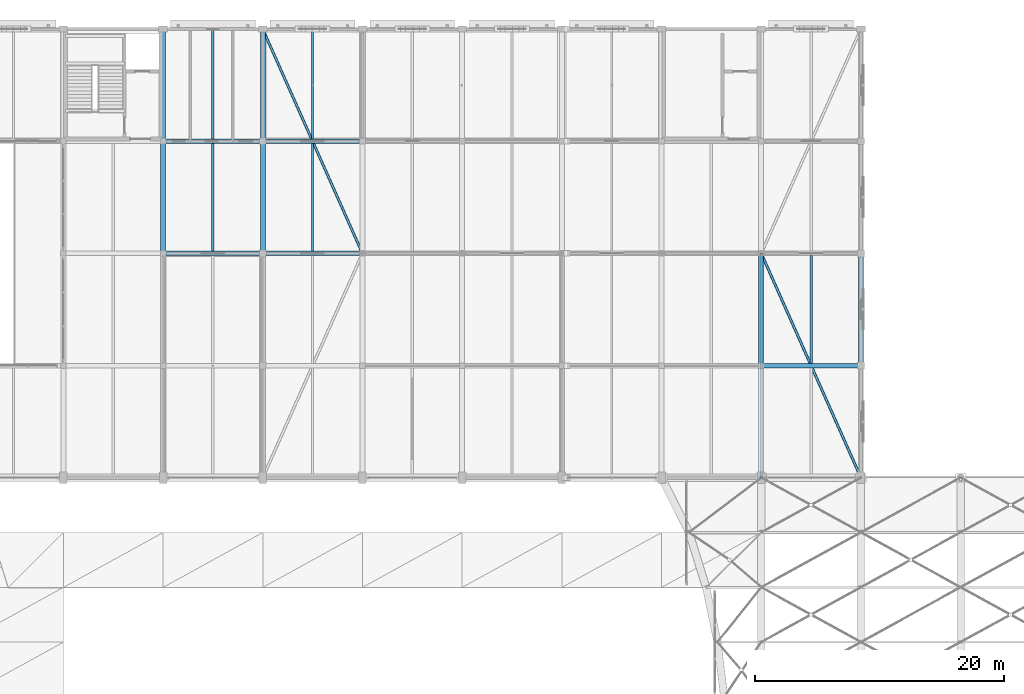
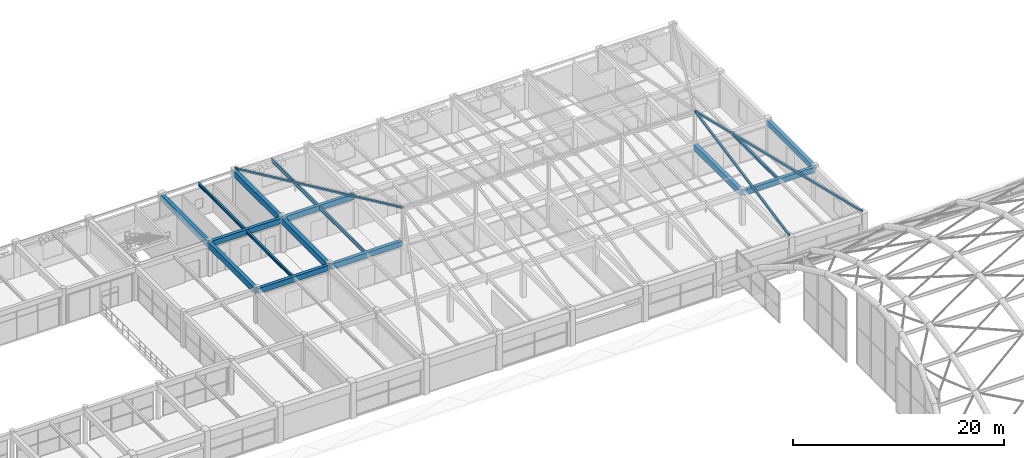
# One storey, part 71 of 126: 16 beams, 3 members.
"""IFC4 building model written with IfcOpenShell, lengths in metres."""

from ifc_helpers import new_model, si_unit, direction, frame, origin, origin_2d, place, context, subcontext, project, spatial, rectangle, hollow_rectangle, i_section, extrude, material, material_profile, profile_set, type_object, element, save


model = new_model("IFC4")

# Units and contexts
model_context = context("Model", 3, precision=1e-05, world=origin(), true_north=direction((0.0, 1.0)))
body_context = subcontext(model_context, "Body", "Model", "MODEL_VIEW")
ifc_project = project(units=[si_unit("LENGTHUNIT", "METRE"), si_unit("AREAUNIT", "SQUARE_METRE"), si_unit("VOLUMEUNIT", "CUBIC_METRE"), si_unit("PLANEANGLEUNIT", "RADIAN"), si_unit("MASSUNIT", "GRAM", prefix="KILO")], contexts=[model_context])

# Site, building, storey
site_placement = place(None, origin())
site = spatial("IfcSite", under=ifc_project, at=site_placement, CompositionType="ELEMENT")
building_placement = place(site_placement, origin())
building = spatial("IfcBuilding", under=site, at=building_placement, Name="Varnabhumi Central Station", CompositionType="ELEMENT")
storey_placement = place(building_placement, frame((0.0, 0.0, 16.199951171875)))
storey = spatial("IfcBuildingStorey", under=building, at=storey_placement, Name="L03", CompositionType="ELEMENT", Elevation=16.199951171875)

# Beams
ifc_material_1 = material(Name="Structural steel E350", Category="steel")
ifc_material_profile_1 = material_profile(ifc_material_1, i_section(OverallWidth=0.14990234375, OverallDepth=0.449951171875, WebThickness=0.009521484375, FlangeThickness=0.017333984375, FilletRadius=0.014892578125, at=origin_2d()), Name="Structural steel E350", Category="steel")
ifc_profile_set_1 = profile_set([ifc_material_profile_1], Name="Structural steel E350")
beam_type_1 = type_object("IfcBeamType", Name="BM-JST-ISMB450", PredefinedType="JOIST", material=ifc_profile_set_1)
beam_1_placement = place(storey_placement, frame((100.0, 98.175048828125, 3.72509765625), z_axis=(0.0, 1.0, 0.0), x_axis=(-1.0, 0.0, 0.0)))
element("IfcBeam", 1, at=beam_1_placement, inside=storey, type_object=beam_type_1, Name="Secondary Joist L03-13/14:M-N", PredefinedType="JOIST", context=body_context, shape_type="SweptSolid", body=[
    extrude(i_section(OverallWidth=0.14990234375, OverallDepth=0.449951171875, WebThickness=0.009521484375, FlangeThickness=0.017333984375, FilletRadius=0.014892578125, at=origin_2d()), origin(), (0.0, 0.0, 1.0), 8.64990234375),
])
beam_2_placement = place(storey_placement, frame((100.0, 107.175048828125, 3.72509765625), z_axis=(0.0, 1.0, 0.0), x_axis=(-1.0, 0.0, 0.0)))
element("IfcBeam", 2, at=beam_2_placement, inside=storey, type_object=beam_type_1, Name="Secondary Joist L03-13/14:N-P", PredefinedType="JOIST", context=body_context, shape_type="SweptSolid", body=[
    extrude(i_section(OverallWidth=0.14990234375, OverallDepth=0.449951171875, WebThickness=0.009521484375, FlangeThickness=0.017333984375, FilletRadius=0.014892578125, at=origin_2d()), origin(), (0.0, 0.0, 1.0), 8.75),
])
ifc_material_2 = material(Name="Concrete M40", Category="concrete")
ifc_material_profile_2 = material_profile(ifc_material_2, rectangle(XDim=0.35009765625, YDim=0.60009765625, at=origin_2d()), Name="Concrete M40", Category="concrete")
ifc_profile_set_2 = profile_set([ifc_material_profile_2], Name="Concrete M40")
beam_type_2 = type_object("IfcBeamType", Name="BM-RC-350x600", PredefinedType="BEAM", material=ifc_profile_set_2)
for number, where, z_axis, x_axis, name in (
    (3, (88.10009765625, 98.0, 3.650146484375), (1.0, 0.0, 0.0), (0.0, 1.0, 0.0), "Beam L03-M:12-13"),
    (4, (88.10009765625, 107.0, 3.650146484375), (1.0, 0.0, 0.0), (0.0, 1.0, 0.0), "Beam L03-N:12-13"),
    (5, (96.10009765625, 98.0, 3.650146484375), (1.0, 0.0, 0.0), (0.0, 1.0, 0.0), "Beam L03-M:13-14"),
    (6, (96.10009765625, 107.0, 3.650146484375), (1.0, 0.0, 0.0), (0.0, 1.0, 0.0), "Beam L03-N:13-14"),
    (7, (136.10009765625, 89.0, 3.650146484375), (1.0, 0.0, 0.0), (0.0, 1.0, 0.0), "Beam L03-L:18-19"),
):
    element("IfcBeam", number, at=place(storey_placement, frame(where, z_axis=z_axis, x_axis=x_axis)), inside=storey, type_object=beam_type_2, Name=name, PredefinedType="BEAM", context=body_context, shape_type="SweptSolid", body=[
        extrude(rectangle(XDim=0.35009765625, YDim=0.60009765625, at=origin_2d()), origin(), (0.0, 0.0, 1.0), 7.7998046875),
    ])
ifc_material_profile_3 = material_profile(ifc_material_2, rectangle(XDim=0.39990234375, YDim=0.60009765625, at=origin_2d()), Name="Concrete M40", Category="concrete")
ifc_profile_set_3 = profile_set([ifc_material_profile_3], Name="Concrete M40")
beam_type_3 = type_object("IfcBeamType", Name="BM-RC-400x600", PredefinedType="BEAM", material=ifc_profile_set_3)
beam_3_placement = place(storey_placement, frame((144.0, 89.10009765625, 3.650146484375), z_axis=(0.0, 1.0, 0.0), x_axis=(-1.0, 0.0, 0.0)))
element("IfcBeam", 8, at=beam_3_placement, inside=storey, type_object=beam_type_3, Name="Beam L03-19:L-M", PredefinedType="BEAM", context=body_context, shape_type="SweptSolid", body=[
    extrude(rectangle(XDim=0.39990234375, YDim=0.60009765625, at=origin_2d()), origin(), (0.0, 0.0, 1.0), 8.7998046875),
])
ifc_material_profile_4 = material_profile(ifc_material_2, rectangle(XDim=0.39990234375, YDim=0.699951171875, at=origin_2d()), Name="Concrete M40", Category="concrete")
ifc_profile_set_4 = profile_set([ifc_material_profile_4], Name="Concrete M40")
beam_type_4 = type_object("IfcBeamType", Name="BM-RC-700x400", PredefinedType="BEAM", material=ifc_profile_set_4)
for number, where, z_axis, x_axis, name in (
    (9, (136.0, 89.10009765625, 3.60009765625), (0.0, 1.0, 0.0), (-1.0, 0.0, 0.0), "Beam L03-18:L-M"),
    (10, (88.0, 98.10009765625, 3.60009765625), (0.0, 1.0, 0.0), (-1.0, 0.0, 0.0), "Beam L03-12:M-N"),
    (11, (96.0, 98.10009765625, 3.60009765625), (0.0, 1.0, 0.0), (-1.0, 0.0, 0.0), "Beam L03-13:M-N"),
    (12, (88.0, 107.10009765625, 3.60009765625), (0.0, 1.0, 0.0), (-1.0, 0.0, 0.0), "Beam L03-12:N-P"),
    (13, (96.0, 107.10009765625, 3.60009765625), (0.0, 1.0, 0.0), (-1.0, 0.0, 0.0), "Beam L03-13:N-P"),
):
    element("IfcBeam", number, at=place(storey_placement, frame(where, z_axis=z_axis, x_axis=x_axis)), inside=storey, type_object=beam_type_4, Name=name, PredefinedType="BEAM", context=body_context, shape_type="SweptSolid", body=[
        extrude(rectangle(XDim=0.39990234375, YDim=0.699951171875, at=origin_2d()), origin(), (0.0, 0.0, 1.0), 8.7998046875),
    ])
ifc_material_profile_5 = material_profile(ifc_material_1, i_section(OverallWidth=0.199951171875, OverallDepth=0.35009765625, WebThickness=0.008056640625, FlangeThickness=0.011474609375, FilletRadius=0.011962890625, at=origin_2d()), Name="Structural steel E350", Category="steel")
ifc_profile_set_5 = profile_set([ifc_material_profile_5], Name="Structural steel E350")
beam_type_5 = type_object("IfcBeamType", Name="BM-STL-ISWB350", PredefinedType="JOIST", material=ifc_profile_set_5)
for number, where, z_axis, x_axis, name in (
    (14, (140.0, 89.175048828125, 3.775146484375), (0.0, 1.0, 0.0), (-1.0, 0.0, 0.0), "Secondary Joist L03-18/19:L-M"),
    (15, (92.0, 98.175048828125, 3.775146484375), (0.0, 1.0, 0.0), (-1.0, 0.0, 0.0), "Secondary Joist L03-12/13:M-N"),
):
    element("IfcBeam", number, at=place(storey_placement, frame(where, z_axis=z_axis, x_axis=x_axis)), inside=storey, type_object=beam_type_5, Name=name, PredefinedType="JOIST", context=body_context, shape_type="SweptSolid", body=[
        extrude(i_section(OverallWidth=0.199951171875, OverallDepth=0.35009765625, WebThickness=0.008056640625, FlangeThickness=0.011474609375, FilletRadius=0.011962890625, at=origin_2d()), origin(), (0.0, 0.0, 1.0), 8.64990234375),
    ])
beam_4_placement = place(storey_placement, frame((92.0, 107.175048828125, 3.775146484375), z_axis=(0.0, 1.0, 0.0), x_axis=(-1.0, 0.0, 0.0)))
element("IfcBeam", 16, at=beam_4_placement, inside=storey, type_object=beam_type_5, Name="Secondary Joist L03-12/13:N-P", PredefinedType="JOIST", context=body_context, shape_type="SweptSolid", body=[
    extrude(i_section(OverallWidth=0.199951171875, OverallDepth=0.35009765625, WebThickness=0.008056640625, FlangeThickness=0.011474609375, FilletRadius=0.011962890625, at=origin_2d()), origin(), (0.0, 0.0, 1.0), 8.75),
])

# Members
ifc_material_profile_6 = material_profile(ifc_material_1, hollow_rectangle(XDim=0.199951171875, YDim=0.199951171875, WallThickness=0.010009765625, InnerFilletRadius=0.010009765625, OuterFilletRadius=0.02001953125, at=origin_2d()), Name="Structural steel E350", Category="steel")
ifc_profile_set_6 = profile_set([ifc_material_profile_6], Name="Structural steel E350")
member_type = type_object("IfcMemberType", Name="MBR-RAFT-SHS200", PredefinedType="RAFTER", material=ifc_profile_set_6)
for number, where, z_axis, x_axis, name in (
    (17, (96.0, 116.0, 4.110107421875), (0.399698916942, -0.899322563119, 0.177368833961), (0.91381154862, 0.406138466053, 0.0), "Mission Roof Hip Rafter NW4-EN"),
    (18, (144.0, 80.0, 4.110107421875), (-0.399698916942, 0.899322563119, 0.177368833961), (-0.91381154862, -0.406138466053, 0.0), "Mission Roof Hip Rafter NW4-WS"),
):
    element("IfcMember", number, at=place(storey_placement, frame(where, z_axis=z_axis, x_axis=x_axis)), inside=storey, type_object=member_type, Name=name, PredefinedType="RAFTER", context=body_context, shape_type="SweptSolid", body=[
        extrude(hollow_rectangle(XDim=0.199951171875, YDim=0.199951171875, WallThickness=0.010009765625, InnerFilletRadius=0.010009765625, OuterFilletRadius=0.02001953125, at=origin_2d()), origin(), (0.0, 0.0, 1.0), 20.01513671875),
    ])
member_placement = place(storey_placement, frame((136.0, 80.0, 4.110107421875), z_axis=(0.0, 0.981100761594, 0.193497533832), x_axis=(-1.0, 0.0, 0.0)))
element("IfcMember", 19, at=member_placement, inside=storey, type_object=member_type, Name="Mission Roof South Rafter NW4-6", PredefinedType="RAFTER", context=body_context, shape_type="SweptSolid", body=[
    extrude(hollow_rectangle(XDim=0.199951171875, YDim=0.199951171875, WallThickness=0.010009765625, InnerFilletRadius=0.010009765625, OuterFilletRadius=0.02001953125, at=origin_2d()), origin(), (0.0, 0.0, 1.0), 18.3466796875),
])

save(model, "model.ifc")
